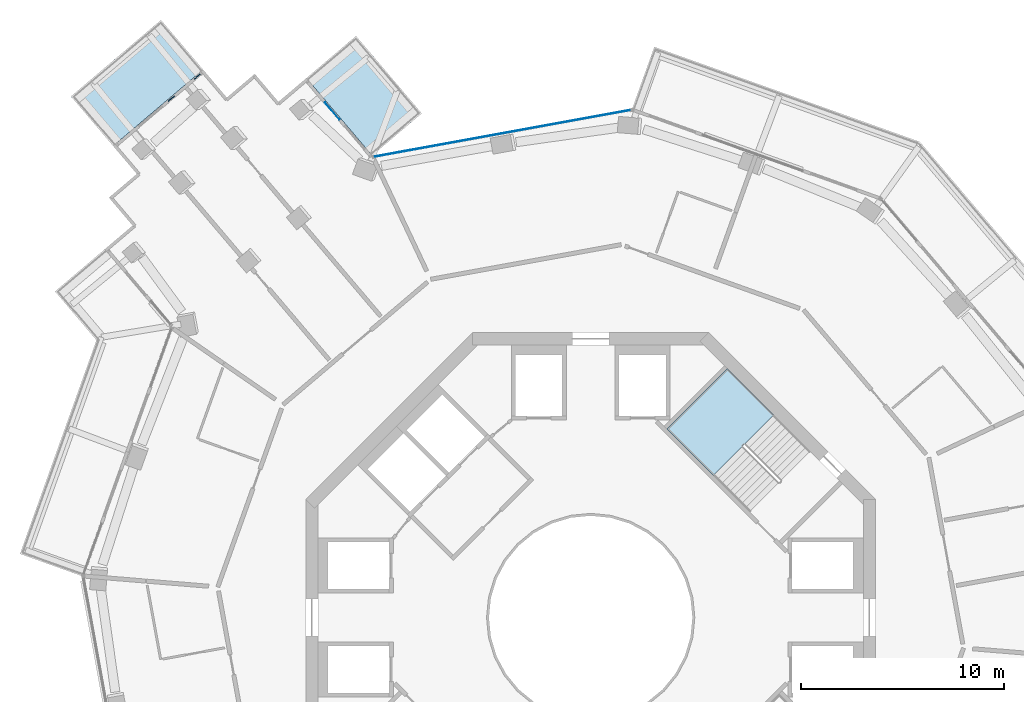
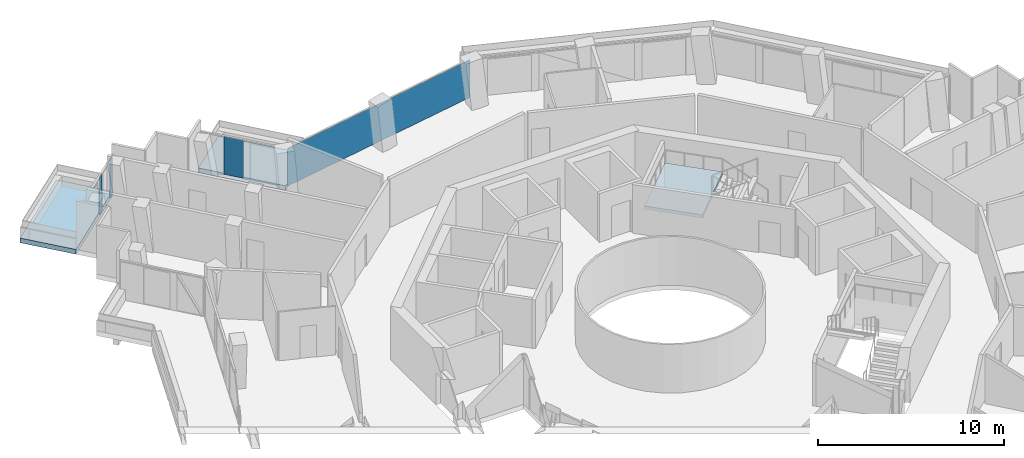
# One storey, part 12 of 21: 4 plates, 3 slabs, 4 elements without a shape of their own.
"""IFC4 building model written with IfcOpenShell, lengths in metres."""

from ifc_helpers import new_model, si_unit, direction, frame, origin, origin_2d, place, context, subcontext, project, spatial, polyline, rectangle, outline, extrude, material, layer, layer_set, type_object, element, aggregate, save


model = new_model("IFC4")

# Units and contexts
model_context = context("Model", 3, precision=1e-05, world=origin(), true_north=direction((0.0, 1.0)))
body_context = subcontext(model_context, "Body", "Model", "MODEL_VIEW")
ifc_project = project(units=[si_unit("LENGTHUNIT", "METRE"), si_unit("AREAUNIT", "SQUARE_METRE"), si_unit("VOLUMEUNIT", "CUBIC_METRE"), si_unit("PLANEANGLEUNIT", "RADIAN"), si_unit("MASSUNIT", "GRAM", prefix="KILO")], contexts=[model_context])

# Site, building, storey
site_placement = place(None, origin())
site = spatial("IfcSite", under=ifc_project, at=site_placement, CompositionType="ELEMENT")
building_placement = place(site_placement, origin())
building = spatial("IfcBuilding", under=site, at=building_placement, Name="Verdalira Terraces Hotel", CompositionType="ELEMENT")
storey_placement = place(building_placement, frame((0.0, 0.0, 197.5)))
storey = spatial("IfcBuildingStorey", under=building, at=storey_placement, Name="L48", CompositionType="ELEMENT", Elevation=197.5)

# Slabs
ifc_material_1 = material(Name="Precast concrete C40/50", Category="concrete")
ifc_layer_1 = layer(ifc_material_1, 0.31005859375)
ifc_layer_set_1 = layer_set([ifc_layer_1], Name="Balcony deck 310")
slab_type_1 = type_object("IfcSlabType", Name="Balcony deck 310", PredefinedType="FLOOR", material=ifc_layer_set_1)
slab_1_placement = place(storey_placement, frame((0.0, 0.0, -0.310059)))
element("IfcSlab", 1, at=slab_1_placement, inside=storey, type_object=slab_type_1, Name="Balcony deck", PredefinedType="FLOOR", context=body_context, shape_type="SweptSolid", body=[
    extrude(outline(polyline([(-25.537109, 25.609131), (-23.466309, 23.169189), (-19.044189, 26.922119), (-21.114746, 29.362061), (-25.537109, 25.609131)])), origin(), (0.0, 0.0, 1.0), 0.310059),
])
slab_2_placement = place(storey_placement, frame((0.0, 0.0, -0.310059)))
element("IfcSlab", 2, at=slab_2_placement, inside=storey, type_object=slab_type_1, Name="Balcony deck", PredefinedType="FLOOR", context=body_context, shape_type="SweptSolid", body=[
    extrude(outline(polyline([(-11.530273, 28.577393), (-13.969971, 26.506836), (-10.740723, 22.701416), (-8.300781, 24.771973), (-11.530273, 28.577393)])), origin(), (0.0, 0.0, 1.0), 0.310059),
])

# Curtain wall, plate
ifc_material_2 = material(Name="Clear glass", Category="glass")
ifc_layer_2 = layer(ifc_material_2, 0.14990234375)
ifc_layer_set_2 = layer_set([ifc_layer_2], Name="CW1 curtain wall")
curtain_wall_type_1 = type_object("IfcCurtainWallType", Name="CW1 curtain wall", PredefinedType="NOTDEFINED", material=ifc_layer_set_2)
curtain_wall_1_placement = place(storey_placement, origin())
curtain_wall_1 = element("IfcCurtainWall", 3, at=curtain_wall_1_placement, inside=storey, type_object=curtain_wall_type_1, Name="CW1 curtain wall L48 edge 41", PredefinedType="NOTDEFINED")
ifc_material_3 = material(Name="Clear glass", Category="glass")
ifc_layer_3 = layer(ifc_material_3, 0.028076171875)
ifc_layer_set_3 = layer_set([ifc_layer_3], Name="CW1 glass unit 28")
plate_type_1 = type_object("IfcPlateType", Name="CW1 glass unit 28", PredefinedType="CURTAIN_PANEL", material=ifc_layer_set_3)
plate_1_placement = place(storey_placement, frame((-4.352051, 23.788574, 0.0), z_axis=(0.0, 0.0, 1.0), x_axis=(-0.983822564, -0.179145645, 0.0)))
plate_1 = element("IfcPlate", 4, at=plate_1_placement, type_object=plate_type_1, Name="CW1 glass unit", PredefinedType="CURTAIN_PANEL", context=body_context, shape_type="SweptSolid", body=[
    extrude(rectangle(XDim=12.839844, YDim=0.028076, at=origin_2d()), origin(), (0.0, 0.0, 1.0), 2.475098),
])
aggregate(curtain_wall_1, [plate_1])

ifc_material_4 = material(Name="Clear glass", Category="glass")
ifc_layer_4 = layer(ifc_material_4, 0.14990234375)
ifc_layer_set_4 = layer_set([ifc_layer_4], Name="CW2 curtain wall")
curtain_wall_type_2 = type_object("IfcCurtainWallType", Name="CW2 curtain wall", PredefinedType="NOTDEFINED", material=ifc_layer_set_4)
curtain_wall_2_placement = place(storey_placement, origin())
curtain_wall_2 = element("IfcCurtainWall", 5, at=curtain_wall_2_placement, inside=storey, type_object=curtain_wall_type_2, Name="CW2 curtain wall L48 edge 0", PredefinedType="NOTDEFINED")
ifc_material_5 = material(Name="Clear glass", Category="glass")
ifc_layer_5 = layer(ifc_material_5, 0.031982421875)
ifc_layer_set_5 = layer_set([ifc_layer_5], Name="CW2 glass unit 32")
plate_type_2 = type_object("IfcPlateType", Name="CW2 glass unit 32", PredefinedType="CURTAIN_PANEL", material=ifc_layer_set_5)
plate_2_placement = place(storey_placement, frame((-12.695068, 24.888672, 0.0), z_axis=(0.0, 0.0, 1.0), x_axis=(-0.647055962, 0.762442511, 0.0)))
plate_2 = element("IfcPlate", 6, at=plate_2_placement, type_object=plate_type_2, Name="CW2 glass unit", PredefinedType="CURTAIN_PANEL", context=body_context, shape_type="SweptSolid", body=[
    extrude(rectangle(XDim=1.117432, YDim=0.031982, at=origin_2d()), origin(), (0.0, 0.0, 1.0), 2.475098),
])
aggregate(curtain_wall_2, [plate_2])

# Curtain wall, plates
ifc_material_6 = material(Name="Clear glass", Category="glass")
ifc_layer_6 = layer(ifc_material_6, 0.14990234375)
ifc_layer_set_6 = layer_set([ifc_layer_6], Name="CW3 curtain wall")
curtain_wall_type_3 = type_object("IfcCurtainWallType", Name="CW3 curtain wall", PredefinedType="NOTDEFINED", material=ifc_layer_set_6)
curtain_wall_3_placement = place(storey_placement, origin())
curtain_wall_3 = element("IfcCurtainWall", 7, at=curtain_wall_3_placement, inside=storey, type_object=curtain_wall_type_3, Name="CW3 curtain wall L48 edge 5", PredefinedType="NOTDEFINED")
ifc_material_7 = material(Name="Clear glass", Category="glass")
ifc_layer_7 = layer(ifc_material_7, 0.035888671875)
ifc_layer_set_7 = layer_set([ifc_layer_7], Name="CW3 glass unit 36")
plate_type_3 = type_object("IfcPlateType", Name="CW3 glass unit 36", PredefinedType="CURTAIN_PANEL", material=ifc_layer_set_7)
plate_3_placement = place(storey_placement, frame((-19.323486, 26.58667, 0.0), z_axis=(0.0, 0.0, 1.0), x_axis=(-0.762442511, -0.647055962, 0.0)))
plate_3 = element("IfcPlate", 8, at=plate_3_placement, type_object=plate_type_3, Name="CW3 glass unit", PredefinedType="CURTAIN_PANEL", context=body_context, shape_type="SweptSolid", body=[
    extrude(rectangle(XDim=0.399902, YDim=0.035889, at=origin_2d()), origin(), (0.0, 0.0, 1.0), 2.475098),
])
plate_4_placement = place(storey_placement, frame((-20.608643, 25.496338, 0.0), z_axis=(0.0, 0.0, 1.0), x_axis=(-0.762442511, -0.647055962, 0.0)))
plate_4 = element("IfcPlate", 9, at=plate_4_placement, type_object=plate_type_3, Name="CW3 glass unit", PredefinedType="CURTAIN_PANEL", context=body_context, shape_type="SweptSolid", body=[
    extrude(rectangle(XDim=0.389404, YDim=0.035889, at=origin_2d()), origin(), (0.0, 0.0, 1.0), 2.475098),
])
aggregate(curtain_wall_3, [plate_3, plate_4])

# Stair, slab
ifc_material_8 = material(Name="Concrete C40", Category="concrete")
stair_type = type_object("IfcStairType", Name="Core stair 20 risers 2050 mm wide", PredefinedType="HALF_TURN_STAIR", material=ifc_material_8)
stair_placement = place(storey_placement, origin())
stair = element("IfcStair", 10, at=stair_placement, inside=storey, type_object=stair_type, Name="L48 Exit stair ST1", PredefinedType="HALF_TURN_STAIR")
ifc_material_9 = material(Name="Concrete C40", Category="concrete")
ifc_layer_8 = layer(ifc_material_9, 0.199951171875)
ifc_layer_set_8 = layer_set([ifc_layer_8], Name="Core stair landing 200 mm")
slab_type_2 = type_object("IfcSlabType", Name="Core stair landing 200 mm", PredefinedType="LANDING", material=ifc_layer_set_8)
slab_3_placement = place(storey_placement, frame((0.0, 0.0, 1.550049)))
slab_3 = element("IfcSlab", 11, at=slab_3_placement, type_object=slab_type_2, Name="ST1 landing 1", PredefinedType="LANDING", context=body_context, shape_type="SweptSolid", body=[
    extrude(outline(polyline([(9.001709, 9.94873), (6.717529, 12.23291), (3.747559, 9.263184), (6.031982, 6.97876), (9.001709, 9.94873)])), origin(), (0.0, 0.0, 1.0), 0.199951),
])
aggregate(stair, [slab_3])

save(model, "model.ifc")
